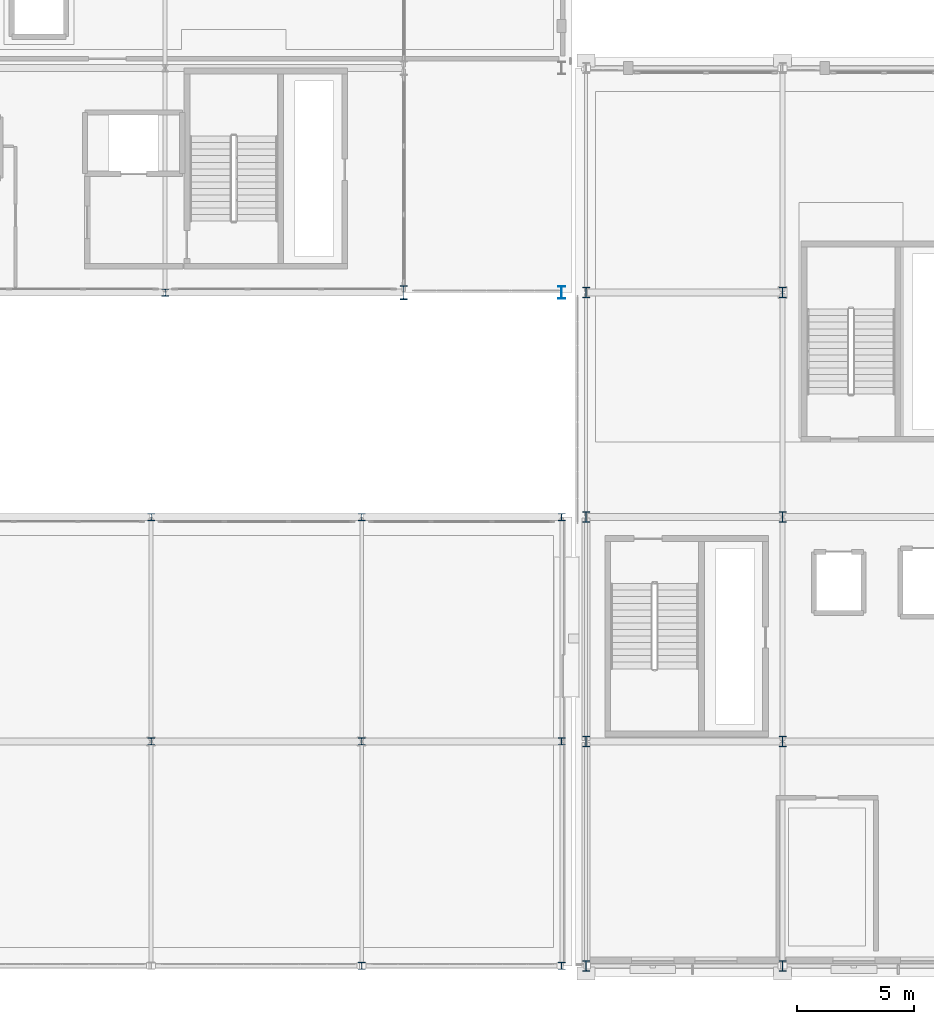
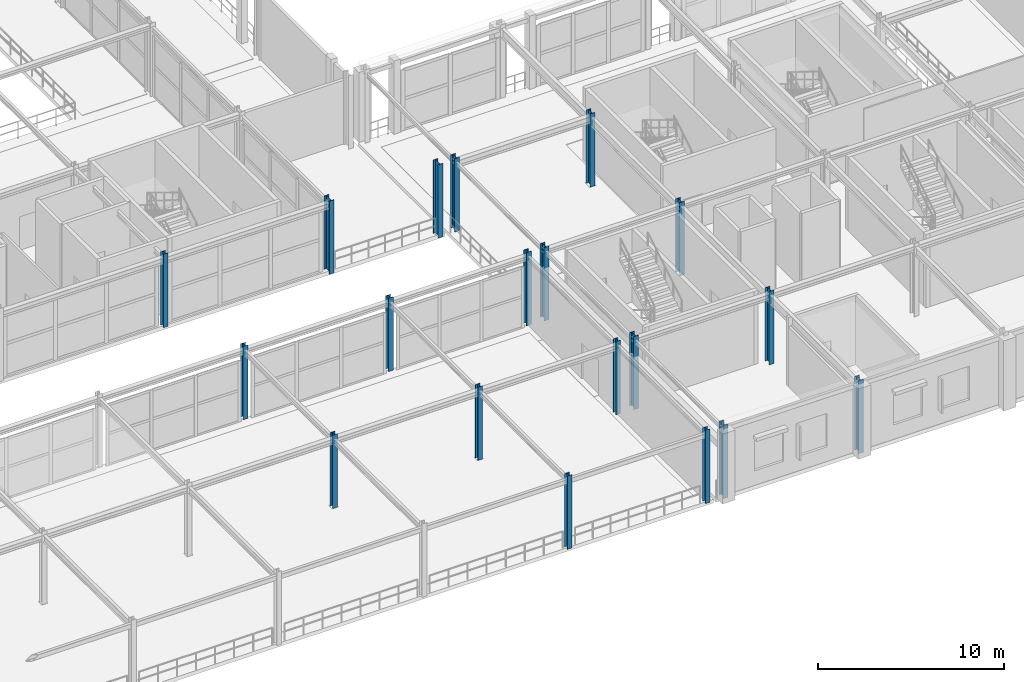
# One storey, part 6 of 125: 19 columns.
"""IFC4 building model written with IfcOpenShell, lengths in metres."""

from ifc_helpers import new_model, si_unit, direction, frame, origin, origin_2d, place, context, subcontext, project, spatial, i_section, extrude, material, material_profile, profile_set, type_object, element, save


model = new_model("IFC4")

# Units and contexts
model_context = context("Model", 3, precision=1e-05, world=origin(), true_north=direction((0.0, 1.0)))
body_context = subcontext(model_context, "Body", "Model", "MODEL_VIEW")
ifc_project = project(units=[si_unit("LENGTHUNIT", "METRE"), si_unit("AREAUNIT", "SQUARE_METRE"), si_unit("VOLUMEUNIT", "CUBIC_METRE"), si_unit("PLANEANGLEUNIT", "RADIAN"), si_unit("MASSUNIT", "GRAM", prefix="KILO")], contexts=[model_context])

# Site, building, storey
site_placement = place(None, origin())
site = spatial("IfcSite", under=ifc_project, at=site_placement, CompositionType="ELEMENT")
building_placement = place(site_placement, origin())
building = spatial("IfcBuilding", under=site, at=building_placement, Name="Myrtia Square Station", CompositionType="ELEMENT")
storey_placement = place(building_placement, frame((0.0, 0.0, 6.0)))
storey = spatial("IfcBuildingStorey", under=building, at=storey_placement, Name="L01", CompositionType="ELEMENT", Elevation=6.0)

# Columns
ifc_material = material(Name="Steel S355", Category="steel")
ifc_material_profile_1 = material_profile(ifc_material, i_section(OverallWidth=0.300048828125, OverallDepth=0.5400390625, WebThickness=0.012451171875, FlangeThickness=0.02392578125, FilletRadius=0.027099609375, at=origin_2d()), Name="HEA 550")
ifc_profile_set_1 = profile_set([ifc_material_profile_1], Name="Steel S355")
column_type_1 = type_object("IfcColumnType", Name="COL-HEA550", PredefinedType="COLUMN", material=ifc_profile_set_1)
column_1_placement = place(storey_placement, frame((116.550048828125, 28.800048828125, 0.0), z_axis=(0.0, 0.0, 1.0), x_axis=(1.0, 0.0, 0.0)))
element("IfcColumn", 1, at=column_1_placement, inside=storey, type_object=column_type_1, Name="Column L01-0248", PredefinedType="COLUMN", context=body_context, shape_type="SweptSolid", body=[
    extrude(i_section(OverallWidth=0.300048828125, OverallDepth=0.5400390625, WebThickness=0.012451171875, FlangeThickness=0.02392578125, FilletRadius=0.027099609375, at=origin_2d()), origin(), (0.0, 0.0, 1.0), 4.800048828125),
])
ifc_material_profile_2 = material_profile(ifc_material, i_section(OverallWidth=0.300048828125, OverallDepth=0.300048828125, WebThickness=0.010986328125, FlangeThickness=0.01904296875, FilletRadius=0.027099609375, at=origin_2d()), Name="HEB 300")
ifc_profile_set_2 = profile_set([ifc_material_profile_2], Name="Steel S355")
column_type_2 = type_object("IfcColumnType", Name="COL-HEB300", PredefinedType="COLUMN", material=ifc_profile_set_2)
for number, where, z_axis, x_axis, name in (
    (2, (99.60009765625, 28.800048828125, 0.0), (0.0, 0.0, 1.0), (1.0, 0.0, 0.0), "Column L01-0451"),
    (3, (99.0, 9.60009765625, 0.0), (0.0, 0.0, 1.0), (1.0, 0.0, 0.0), "Column L01-0537"),
    (4, (99.0, 19.199951171875, 0.0), (0.0, 0.0, 1.0), (1.0, 0.0, 0.0), "Column L01-0540"),
    (5, (108.0, 0.0, 0.0), (0.0, 0.0, 1.0), (1.0, 0.0, 0.0), "Column L01-0543"),
    (6, (108.0, 9.60009765625, 0.0), (0.0, 0.0, 1.0), (1.0, 0.0, 0.0), "Column L01-0546"),
    (7, (108.0, 19.199951171875, 0.0), (0.0, 0.0, 1.0), (1.0, 0.0, 0.0), "Column L01-0549"),
    (8, (116.550048828125, 0.0, 0.0), (0.0, 0.0, 1.0), (1.0, 0.0, 0.0), "Column L01-0552"),
    (9, (116.550048828125, 9.60009765625, 0.0), (0.0, 0.0, 1.0), (1.0, 0.0, 0.0), "Column L01-0555"),
    (10, (116.550048828125, 19.199951171875, 0.0), (0.0, 0.0, 1.0), (1.0, 0.0, 0.0), "Column L01-0558"),
):
    element("IfcColumn", number, at=place(storey_placement, frame(where, z_axis=z_axis, x_axis=x_axis)), inside=storey, type_object=column_type_2, Name=name, PredefinedType="COLUMN", context=body_context, shape_type="SweptSolid", body=[
        extrude(i_section(OverallWidth=0.300048828125, OverallDepth=0.300048828125, WebThickness=0.010986328125, FlangeThickness=0.01904296875, FilletRadius=0.027099609375, at=origin_2d()), origin(), (0.0, 0.0, 1.0), 4.800048828125),
    ])
ifc_material_profile_3 = material_profile(ifc_material, i_section(OverallWidth=0.300048828125, OverallDepth=0.449951171875, WebThickness=0.013916015625, FlangeThickness=0.02587890625, FilletRadius=0.027099609375, at=origin_2d()), Name="HEB 450")
ifc_profile_set_3 = profile_set([ifc_material_profile_3], Name="Steel S355")
column_type_3 = type_object("IfcColumnType", Name="COL-HEB450", PredefinedType="COLUMN", material=ifc_profile_set_3)
for number, where, z_axis, x_axis, name in (
    (11, (117.60009765625, 0.0, 0.0), (0.0, 0.0, 1.0), (1.0, 0.0, 0.0), "Column L01-0561"),
    (12, (117.60009765625, 9.60009765625, 0.0), (0.0, 0.0, 1.0), (1.0, 0.0, 0.0), "Column L01-0566"),
    (13, (117.60009765625, 19.199951171875, 0.0), (0.0, 0.0, 1.0), (1.0, 0.0, 0.0), "Column L01-0571"),
    (14, (117.60009765625, 28.800048828125, 0.0), (0.0, 0.0, 1.0), (1.0, 0.0, 0.0), "Column L01-0576"),
    (15, (126.0, 0.0, 0.0), (0.0, 0.0, 1.0), (1.0, 0.0, 0.0), "Column L01-0586"),
    (16, (126.0, 9.60009765625, 0.0), (0.0, 0.0, 1.0), (1.0, 0.0, 0.0), "Column L01-0591"),
    (17, (126.0, 19.199951171875, 0.0), (0.0, 0.0, 1.0), (1.0, 0.0, 0.0), "Column L01-0596"),
    (18, (126.0, 28.800048828125, 0.0), (0.0, 0.0, 1.0), (1.0, 0.0, 0.0), "Column L01-0601"),
):
    element("IfcColumn", number, at=place(storey_placement, frame(where, z_axis=z_axis, x_axis=x_axis)), inside=storey, type_object=column_type_3, Name=name, PredefinedType="COLUMN", context=body_context, shape_type="SweptSolid", body=[
        extrude(i_section(OverallWidth=0.300048828125, OverallDepth=0.449951171875, WebThickness=0.013916015625, FlangeThickness=0.02587890625, FilletRadius=0.027099609375, at=origin_2d()), origin(), (0.0, 0.0, 1.0), 4.800048828125),
    ])
ifc_material_profile_4 = material_profile(ifc_material, i_section(OverallWidth=0.300048828125, OverallDepth=0.60009765625, WebThickness=0.015380859375, FlangeThickness=0.030029296875, FilletRadius=0.027099609375, at=origin_2d()), Name="HEB 600")
ifc_profile_set_4 = profile_set([ifc_material_profile_4], Name="Steel S355")
column_type_4 = type_object("IfcColumnType", Name="COL-HEB600", PredefinedType="COLUMN", material=ifc_profile_set_4)
column_2_placement = place(storey_placement, frame((109.800048828125, 28.800048828125, 0.0), z_axis=(0.0, 0.0, 1.0), x_axis=(1.0, 0.0, 0.0)))
element("IfcColumn", 19, at=column_2_placement, inside=storey, type_object=column_type_4, Name="Column L01-0259", PredefinedType="COLUMN", context=body_context, shape_type="SweptSolid", body=[
    extrude(i_section(OverallWidth=0.300048828125, OverallDepth=0.60009765625, WebThickness=0.015380859375, FlangeThickness=0.030029296875, FilletRadius=0.027099609375, at=origin_2d()), origin(), (0.0, 0.0, 1.0), 4.800048828125),
])

save(model, "model.ifc")
